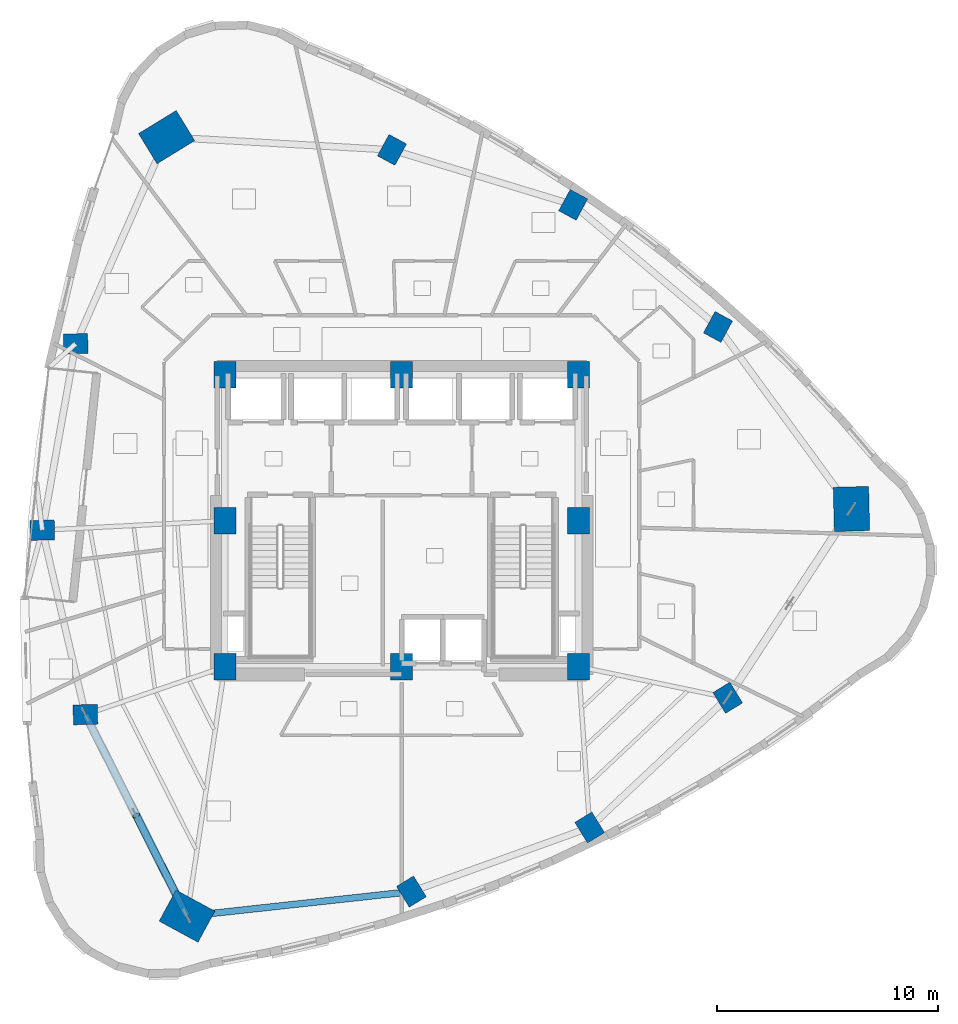
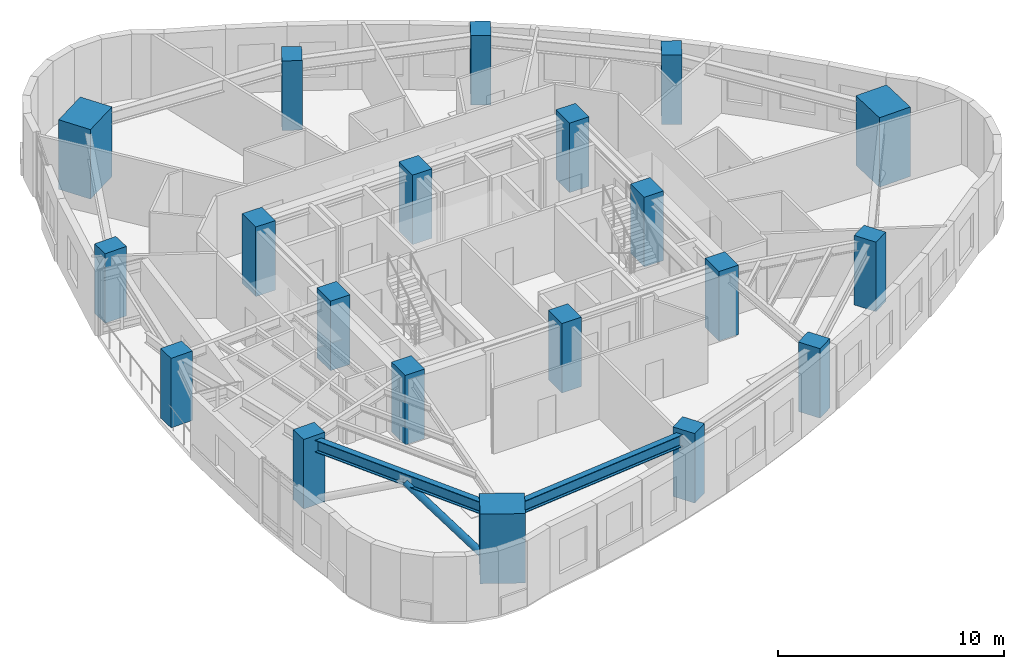
# One storey, part 1 of 16: 20 columns, 2 beams, 1 member.
"""IFC4 building model written with IfcOpenShell, lengths in metres."""

from ifc_helpers import new_model, si_unit, direction, frame, origin, origin_2d, place, context, subcontext, project, spatial, rectangle, hollow_circle, i_section, extrude, material, material_profile, profile_set, type_object, element, save


model = new_model("IFC4")

# Units and contexts
model_context = context("Model", 3, precision=1e-05, world=origin(), true_north=direction((0.0, 1.0)))
body_context = subcontext(model_context, "Body", "Model", "MODEL_VIEW")
ifc_project = project(units=[si_unit("LENGTHUNIT", "METRE"), si_unit("AREAUNIT", "SQUARE_METRE"), si_unit("VOLUMEUNIT", "CUBIC_METRE"), si_unit("PLANEANGLEUNIT", "RADIAN"), si_unit("MASSUNIT", "GRAM", prefix="KILO")], contexts=[model_context])

# Site, building, storey
site_placement = place(None, origin())
site = spatial("IfcSite", under=ifc_project, at=site_placement, CompositionType="ELEMENT")
building_placement = place(site_placement, origin())
building = spatial("IfcBuilding", under=site, at=building_placement, Name="Ndelora Gate Hotel", CompositionType="ELEMENT")
storey_placement = place(building_placement, frame((0.0, 0.0, 97.25)))
storey = spatial("IfcBuildingStorey", under=building, at=storey_placement, Name="L23", CompositionType="ELEMENT", Elevation=97.25)

# Columns
ifc_material_1 = material(Name="Concrete C60/75", Category="concrete")
ifc_material_profile_1 = material_profile(ifc_material_1, rectangle(XDim=1.0, YDim=1.199951171875, at=origin_2d()), Name="RC 1200x1000")
ifc_profile_set_1 = profile_set([ifc_material_profile_1], Name="Concrete C60/75")
column_type_1 = type_object("IfcColumnType", Name="COL-CC-MID", PredefinedType="COLUMN", material=ifc_profile_set_1)
for number, where, z_axis, x_axis, name in (
    (1, (-8.0, -6.60009765625, 0.0), (0.0, 0.0, 1.0), (1.0, 0.0, 0.0), "L23 Core Column CC1"),
    (2, (0.0, -6.60009765625, 0.0), (0.0, 0.0, 1.0), (1.0, 0.0, 0.0), "L23 Core Column CC2"),
    (3, (8.0, -6.60009765625, 0.0), (0.0, 0.0, 1.0), (1.0, 0.0, 0.0), "L23 Core Column CC3"),
    (4, (8.0, 0.0, 0.0), (0.0, 0.0, 1.0), (1.0, 0.0, 0.0), "L23 Core Column CC4"),
    (5, (8.0, 6.60009765625, 0.0), (0.0, 0.0, 1.0), (1.0, 0.0, 0.0), "L23 Core Column CC5"),
    (6, (0.0, 6.60009765625, 0.0), (0.0, 0.0, 1.0), (1.0, 0.0, 0.0), "L23 Core Column CC6"),
    (7, (-8.0, 6.60009765625, 0.0), (0.0, 0.0, 1.0), (1.0, 0.0, 0.0), "L23 Core Column CC7"),
    (8, (-8.0, 0.0, 0.0), (0.0, 0.0, 1.0), (1.0, 0.0, 0.0), "L23 Core Column CC8"),
):
    element("IfcColumn", number, at=place(storey_placement, frame(where, z_axis=z_axis, x_axis=x_axis)), inside=storey, type_object=column_type_1, Name=name, PredefinedType="COLUMN", context=body_context, shape_type="SweptSolid", body=[
        extrude(rectangle(XDim=1.0, YDim=1.199951171875, at=origin_2d()), origin(), (0.0, 0.0, 1.0), 3.75),
    ])
ifc_material_profile_2 = material_profile(ifc_material_1, rectangle(XDim=1.60009765625, YDim=2.0, at=origin_2d()), Name="RC 2000x1600")
ifc_profile_set_2 = profile_set([ifc_material_profile_2], Name="Concrete C60/75")
column_type_2 = type_object("IfcColumnType", Name="COL-MC-Z2", PredefinedType="COLUMN", material=ifc_profile_set_2)
for number, where, z_axis, x_axis, name in (
    (9, (-10.63330078125, 17.351806640625, 0.0), (0.0, 0.0, 1.0), (-0.522498564716, 0.852640164354, 0.0), "L23 Corner Mega-Column R1"),
    (10, (-9.71044921875, -17.884521484375, 0.0), (0.0, 0.0, 1.0), (0.47715876026, 0.878817112662, 0.0), "L23 Corner Mega-Column R5"),
    (11, (20.34375, 0.53271484375, 0.0), (0.0, 0.0, 1.0), (0.999657324976, 0.026176948308, 0.0), "L23 Corner Mega-Column R9"),
):
    element("IfcColumn", number, at=place(storey_placement, frame(where, z_axis=z_axis, x_axis=x_axis)), inside=storey, type_object=column_type_2, Name=name, PredefinedType="COLUMN", context=body_context, shape_type="SweptSolid", body=[
        extrude(rectangle(XDim=1.60009765625, YDim=2.0, at=origin_2d()), origin(), (0.0, 0.0, 1.0), 3.75),
    ])
ifc_material_profile_3 = material_profile(ifc_material_1, rectangle(XDim=0.89990234375, YDim=1.10009765625, at=origin_2d()), Name="RC 1100x900")
ifc_profile_set_3 = profile_set([ifc_material_profile_3], Name="Concrete C60/75")
column_type_3 = type_object("IfcColumnType", Name="COL-PT-Z2", PredefinedType="COLUMN", material=ifc_profile_set_3)
for number, where, z_axis, x_axis, name in (
    (12, (-14.74658203125, 8.006591796875, 0.0), (0.0, 0.0, 1.0), (-0.026176948308, 0.999657324976, 0.0), "L23 Perimeter Tube Column R2"),
    (13, (-16.25537109375, -0.42578125, 0.0), (0.0, 0.0, 1.0), (-0.026176948308, 0.999657324976, 0.0), "L23 Perimeter Tube Column R3"),
    (14, (-14.307373046875, -8.767578125, 0.0), (0.0, 0.0, 1.0), (-0.026176948308, 0.999657324976, 0.0), "L23 Perimeter Tube Column R4"),
    (15, (0.439208984375, -16.7744140625, 0.0), (0.0, 0.0, 1.0), (0.852640164354, 0.522498564716, 0.0), "L23 Perimeter Tube Column R6"),
    (16, (8.50439453125, -13.878173828125, 0.0), (0.0, 0.0, 1.0), (0.852640164354, 0.522498564716, 0.0), "L23 Perimeter Tube Column R7"),
    (17, (14.74658203125, -8.006591796875, 0.0), (0.0, 0.0, 1.0), (0.852640164354, 0.522498564716, 0.0), "L23 Perimeter Tube Column R8"),
    (18, (14.30712890625, 8.767333984375, 0.0), (0.0, 0.0, 1.0), (-0.878817112662, 0.47715876026, 0.0), "L23 Perimeter Tube Column R10"),
    (19, (7.759033203125, 14.290283203125, 0.0), (0.0, 0.0, 1.0), (-0.878817112662, 0.47715876026, 0.0), "L23 Perimeter Tube Column R11"),
    (20, (-0.439208984375, 16.7744140625, 0.0), (0.0, 0.0, 1.0), (-0.878817112662, 0.47715876026, 0.0), "L23 Perimeter Tube Column R12"),
):
    element("IfcColumn", number, at=place(storey_placement, frame(where, z_axis=z_axis, x_axis=x_axis)), inside=storey, type_object=column_type_3, Name=name, PredefinedType="COLUMN", context=body_context, shape_type="SweptSolid", body=[
        extrude(rectangle(XDim=0.89990234375, YDim=1.10009765625, at=origin_2d()), origin(), (0.0, 0.0, 1.0), 3.75),
    ])

# Beams
ifc_material_2 = material(Name="Steel S355", Category="steel")
ifc_material_profile_4 = material_profile(ifc_material_2, i_section(OverallWidth=0.300048828125, OverallDepth=0.64990234375, WebThickness=0.01611328125, FlangeThickness=0.031005859375, FilletRadius=0.027099609375, at=origin_2d()), Name="HEB 650")
ifc_profile_set_4 = profile_set([ifc_material_profile_4], Name="Steel S355")
beam_type = type_object("IfcBeamType", Name="BM-RING-650", PredefinedType="SPANDREL", material=ifc_profile_set_4)
for number, where, z_axis, x_axis, name in (
    (21, (-14.307373046875, -8.767578125, 3.175048828125), (0.450223868811, -0.892915711561, 0.0), (0.892915711561, 0.450223868811, 0.0), "L23 Perimeter Spandrel Girder 4"),
    (22, (-9.71044921875, -17.884521484375, 3.175048828125), (0.994071812898, 0.108725483685, 0.0), (-0.108725483685, 0.994071812898, 0.0), "L23 Perimeter Spandrel Girder 5"),
):
    element("IfcBeam", number, at=place(storey_placement, frame(where, z_axis=z_axis, x_axis=x_axis)), inside=storey, type_object=beam_type, Name=name, PredefinedType="SPANDREL", context=body_context, shape_type="SweptSolid", body=[
        extrude(i_section(OverallWidth=0.300048828125, OverallDepth=0.64990234375, WebThickness=0.01611328125, FlangeThickness=0.031005859375, FilletRadius=0.027099609375, at=origin_2d()), origin(), (0.0, 0.0, 1.0), 10.210205078125),
    ])

# Member
ifc_material_profile_5 = material_profile(ifc_material_2, hollow_circle(Radius=0.177978515625, WallThickness=0.01611328125, at=origin_2d()), Name="CHS 356x16")
ifc_profile_set_5 = profile_set([ifc_material_profile_5], Name="Steel S355")
member_type = type_object("IfcMemberType", Name="MB-TUBE-356", PredefinedType="BRACE", material=ifc_profile_set_5)
member_placement = place(storey_placement, frame((-9.71044921875, -17.884521484375, 0.02001953125), z_axis=(-0.390460765703, 0.774451180922, 0.49776074455), x_axis=(-0.89293017037, -0.450195191938, 0.0)))
element("IfcMember", 23, at=member_placement, inside=storey, type_object=member_type, Name="L23 Perimeter Braced-Tube Diagonal 4B", PredefinedType="BRACE", context=body_context, shape_type="SweptSolid", body=[
    extrude(hollow_circle(Radius=0.177978515625, WallThickness=0.01611328125, at=origin_2d()), origin(), (0.0, 0.0, 1.0), 5.88623046875),
])

save(model, "model.ifc")
